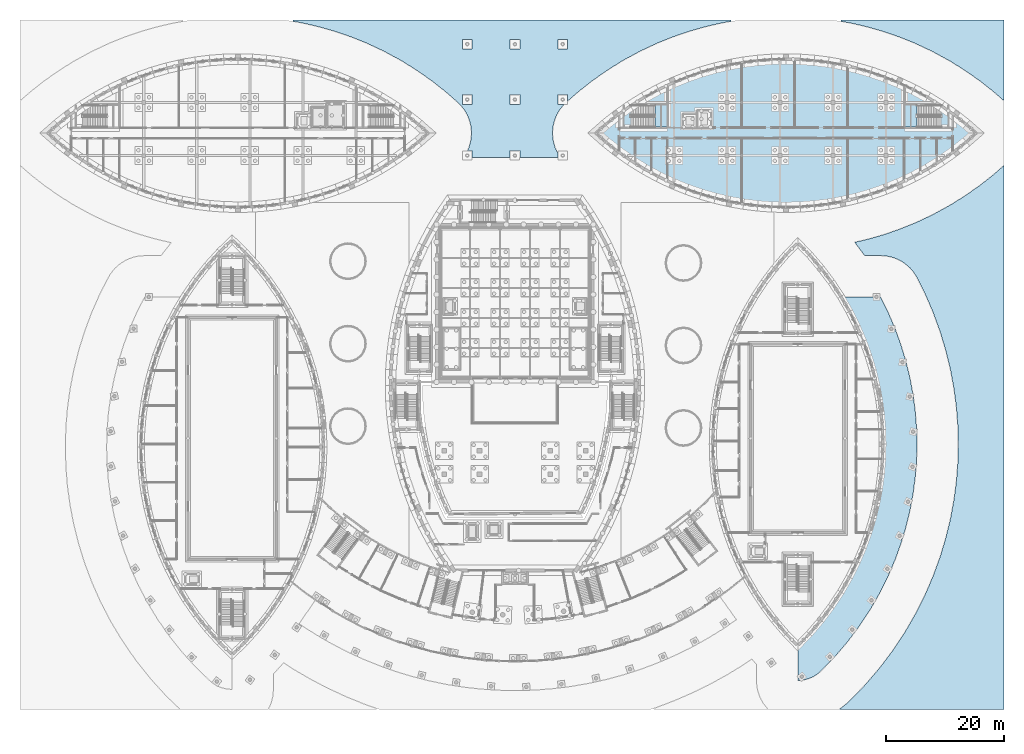
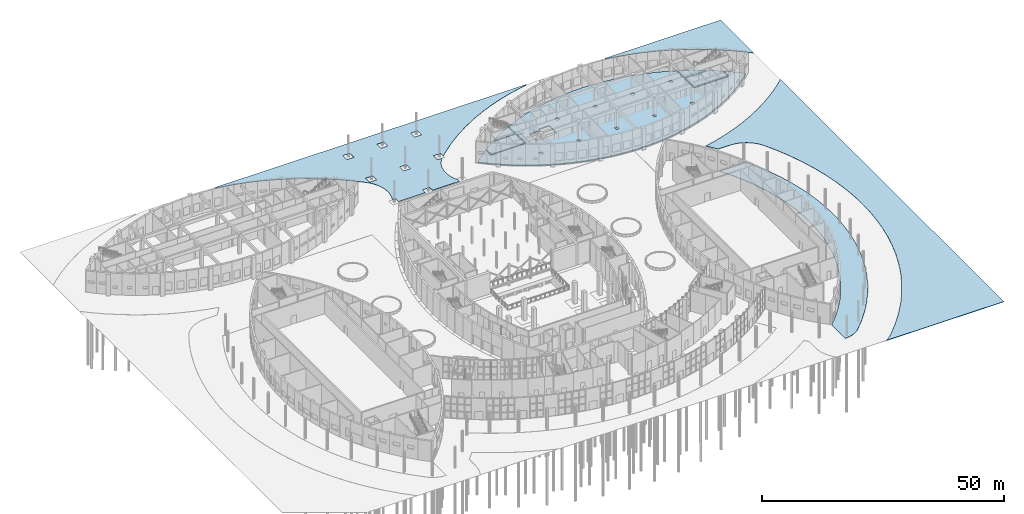
# One storey, part 39 of 82: 9 slabs, 2 elements without a shape of their own.
"""IFC4 building model written with IfcOpenShell, lengths in metres."""

from ifc_helpers import new_model, si_unit, direction, frame, origin, place, context, subcontext, project, spatial, polyline, outline, extrude, material, layer, layer_set, type_object, element, aggregate, save


model = new_model("IFC4")

# Units and contexts
model_context = context("Model", 3, precision=1e-05, world=origin(), true_north=direction((0.0, 1.0)))
body_context = subcontext(model_context, "Body", "Model", "MODEL_VIEW")
ifc_project = project(units=[si_unit("LENGTHUNIT", "METRE"), si_unit("AREAUNIT", "SQUARE_METRE"), si_unit("VOLUMEUNIT", "CUBIC_METRE"), si_unit("PLANEANGLEUNIT", "RADIAN"), si_unit("MASSUNIT", "GRAM", prefix="KILO")], contexts=[model_context])

# Site, building, storey
site_placement = place(None, origin())
site = spatial("IfcSite", under=ifc_project, at=site_placement, CompositionType="ELEMENT")
building_placement = place(site_placement, origin())
building = spatial("IfcBuilding", under=site, at=building_placement, Name="Tide Square Theatres", CompositionType="ELEMENT")
storey_placement = place(building_placement, origin())
storey = spatial("IfcBuildingStorey", under=building, at=storey_placement, Name="L00", CompositionType="ELEMENT", Elevation=0.0)

# Slabs
ifc_material_1 = material(Name="Concrete C30", Category="concrete")
ifc_layer_1 = layer(ifc_material_1, 0.10009765625)
ifc_layer_set_1 = layer_set([ifc_layer_1], Name="Concrete C30")
slab_type_1 = type_object("IfcSlabType", Name="Paving slab 100", PredefinedType="USERDEFINED", material=ifc_layer_set_1)
slab_1_placement = place(storey_placement, frame((0.0, 0.0, -0.10009765625)))
element("IfcSlab", 1, at=slab_1_placement, inside=storey, type_object=slab_type_1, Name="Arcade paving", ObjectType="PAVING", PredefinedType="USERDEFINED", context=body_context, shape_type="SweptSolid", body=[
    extrude(outline(polyline([(147.414794921875, 67.1923828125), (147.27880859375, 67.48828125), (146.032958984375, 70.0), (139.595458984375, 70.0), (140.953857421875, 67.63720703125), (142.261962890625, 65.0), (143.294921875, 62.572021484375), (144.193115234375, 60.091064453125), (144.95361328125, 57.564453125), (145.573974609375, 55.0), (146.03369140625, 52.524169921875), (146.363037109375, 50.027587890625), (146.56103515625, 47.517333984375), (146.627197265625, 45.0), (146.56103515625, 42.482666015625), (146.363037109375, 39.972412109375), (146.03369140625, 37.475830078125), (145.573974609375, 35.0), (144.95361328125, 32.435546875), (144.193115234375, 29.908935546875), (143.294921875, 27.427978515625), (142.261962890625, 25.0), (140.953857421875, 22.36279296875), (139.486572265625, 19.810791015625), (137.865478515625, 17.353515625), (136.09716796875, 15.0), (134.119873046875, 12.68505859375), (132.0, 10.5), (132.0, 4.89990234375), (132.559326171875, 4.927978515625), (133.11328125, 5.01171875), (133.656005859375, 5.150390625), (134.18212890625, 5.342529296875), (134.686279296875, 5.58642578125), (135.163818359375, 5.87939453125), (135.609619140625, 6.218505859375), (136.019287109375, 6.6005859375), (138.13916015625, 8.785400390625), (138.378173828125, 9.048095703125), (140.35546875, 11.363037109375), (140.573974609375, 11.6357421875), (142.34228515625, 13.989013671875), (142.540283203125, 14.269775390625), (144.1611328125, 16.72705078125), (144.34130859375, 17.01953125), (145.80859375, 19.571533203125), (145.970703125, 19.87451171875), (147.27880859375, 22.51171875), (147.414794921875, 22.8076171875), (148.447998046875, 25.2353515625), (148.560546875, 25.521728515625), (149.458740234375, 28.002685546875), (149.555419921875, 28.294921875), (150.31591796875, 30.821533203125), (150.396484375, 31.11865234375), (151.016845703125, 33.68310546875), (151.07958984375, 33.977294921875), (151.53955078125, 36.453125), (151.585693359375, 36.743408203125), (151.9150390625, 39.239990234375), (151.94580078125, 39.531982421875), (152.143798828125, 42.04248046875), (152.1591796875, 42.335693359375), (152.22509765625, 44.85302734375), (152.22509765625, 45.14697265625), (152.1591796875, 47.664306640625), (152.143798828125, 47.95751953125), (151.94580078125, 50.468017578125), (151.9150390625, 50.760009765625), (151.585693359375, 53.256591796875), (151.53955078125, 53.546875), (151.07958984375, 56.022705078125), (151.016845703125, 56.31689453125), (150.396484375, 58.88134765625), (150.31591796875, 59.178466796875), (149.555419921875, 61.705078125), (149.458740234375, 61.997314453125), (148.560546875, 64.478271484375), (148.447998046875, 64.7646484375), (147.414794921875, 67.1923828125)])), origin(), (0.0, 0.0, 1.0), 0.10009765625),
])
slab_2_placement = place(storey_placement, frame((0.0, 0.0, -0.10009765625)))
element("IfcSlab", 2, at=slab_2_placement, inside=storey, type_object=slab_type_1, Name="Square paving", ObjectType="PAVING", PredefinedType="USERDEFINED", context=body_context, shape_type="SweptSolid", body=[
    extrude(outline(polyline([(139.320068359375, 116.779296875), (140.830810546875, 116.51025390625), (141.18408203125, 116.43798828125), (143.64111328125, 115.868896484375), (143.99755859375, 115.7763671875), (146.42138671875, 115.078857421875), (146.7724609375, 114.9677734375), (149.15625, 114.14404296875), (149.5009765625, 114.0146484375), (151.83837890625, 113.06689453125), (152.193115234375, 112.911376953125), (154.711181640625, 111.724365234375), (155.07373046875, 111.540283203125), (157.51904296875, 110.209228515625), (157.8701171875, 110.004638671875), (160.234130859375, 108.5341796875), (160.572998046875, 108.3095703125), (162.84765625, 106.704345703125), (163.1552734375, 106.474609375), (165.096435546875, 104.938720703125), (165.3740234375, 104.707275390625), (167.0, 103.27880859375), (167.0, 117.0), (139.339599609375, 117.0), (139.320068359375, 116.779296875)])), origin(), (0.0, 0.0, 1.0), 0.10009765625),
])
slab_3_placement = place(storey_placement, frame((0.0, 0.0, -0.10009765625)))
element("IfcSlab", 3, at=slab_3_placement, inside=storey, type_object=slab_type_1, Name="Square paving", ObjectType="PAVING", PredefinedType="USERDEFINED", context=body_context, shape_type="SweptSolid", body=[
    extrude(outline(polyline([(141.666748046875, 79.27392578125), (141.708984375, 79.2177734375), (143.3603515625, 77.02001953125), (146.033447265625, 77.02001953125), (146.740234375, 76.984375), (147.4404296875, 76.87744140625), (148.12646484375, 76.70068359375), (148.791015625, 76.45556640625), (149.427490234375, 76.144775390625), (150.029296875, 75.771484375), (150.590576171875, 75.33935546875), (151.10546875, 74.852783203125), (151.568603515625, 74.31689453125), (151.9755859375, 73.7373046875), (152.321533203125, 73.11962890625), (153.567626953125, 70.607666015625), (153.655517578125, 70.423583984375), (153.7919921875, 70.12744140625), (153.87451171875, 69.941162109375), (154.90771484375, 67.512939453125), (154.980712890625, 67.334716796875), (155.093505859375, 67.048095703125), (155.16162109375, 66.86767578125), (156.0595703125, 64.386474609375), (156.12255859375, 64.204345703125), (156.219482421875, 63.912109375), (156.277587890625, 63.728271484375), (157.0380859375, 61.201416015625), (157.091064453125, 61.01611328125), (157.171630859375, 60.71875), (157.219482421875, 60.531982421875), (157.840087890625, 57.96728515625), (157.8818359375, 57.78369140625), (157.94482421875, 57.4892578125), (157.981689453125, 57.3046875), (158.441650390625, 54.82861328125), (158.47265625, 54.6474609375), (158.518798828125, 54.35693359375), (158.54541015625, 54.1748046875), (158.87451171875, 51.67822265625), (158.896484375, 51.49560546875), (158.927001953125, 51.203125), (158.944091796875, 51.02001953125), (159.14208984375, 48.50927734375), (159.154052734375, 48.325927734375), (159.16943359375, 48.0322265625), (159.1767578125, 47.848388671875), (159.242919921875, 45.330810546875), (159.2451171875, 45.14697265625), (159.2451171875, 44.85302734375), (159.242919921875, 44.669189453125), (159.1767578125, 42.151611328125), (159.16943359375, 41.9677734375), (159.154052734375, 41.674072265625), (159.14208984375, 41.49072265625), (158.944091796875, 38.97998046875), (158.927001953125, 38.796875), (158.896484375, 38.50439453125), (158.87451171875, 38.32177734375), (158.54541015625, 35.8251953125), (158.518798828125, 35.64306640625), (158.47265625, 35.3525390625), (158.441650390625, 35.17138671875), (157.981689453125, 32.6953125), (157.94482421875, 32.5107421875), (157.8818359375, 32.21630859375), (157.840087890625, 32.03271484375), (157.219482421875, 29.468017578125), (157.171630859375, 29.28125), (157.091064453125, 28.98388671875), (157.0380859375, 28.798583984375), (156.277587890625, 26.271728515625), (156.219482421875, 26.087890625), (156.12255859375, 25.795654296875), (156.0595703125, 25.613525390625), (155.16162109375, 23.13232421875), (155.093505859375, 22.951904296875), (154.980712890625, 22.665283203125), (154.90771484375, 22.487060546875), (153.87451171875, 20.058837890625), (153.7919921875, 19.87255859375), (153.655517578125, 19.576416015625), (153.567626953125, 19.392333984375), (152.259521484375, 16.7548828125), (152.160888671875, 16.56396484375), (151.9990234375, 16.2607421875), (151.89453125, 16.07275390625), (150.42724609375, 13.5205078125), (150.317138671875, 13.335693359375), (150.13671875, 13.043212890625), (150.021240234375, 12.86181640625), (148.400146484375, 10.404296875), (148.27880859375, 10.2265625), (148.0810546875, 9.945556640625), (147.95458984375, 9.771728515625), (146.185791015625, 7.418212890625), (146.051513671875, 7.245361328125), (145.8330078125, 6.97265625), (145.693603515625, 6.80419921875), (143.71630859375, 4.489013671875), (143.569091796875, 4.322265625), (143.329833984375, 4.059326171875), (143.177490234375, 3.897216796875), (141.057373046875, 1.7119140625), (140.806884765625, 1.466552734375), (140.396728515625, 1.083984375), (139.860595703125, 0.632080078125), (139.4140625, 0.292236328125), (139.03662109375, 0.033935546875), (139.047119140625, 0.0), (167.0, 0.0), (167.0, 92.3212890625), (165.3740234375, 90.892578125), (165.096435546875, 90.661376953125), (163.1552734375, 89.12548828125), (162.84765625, 88.8955078125), (160.572998046875, 87.29052734375), (160.234130859375, 87.06591796875), (157.8701171875, 85.59521484375), (157.51904296875, 85.390625), (155.07373046875, 84.0595703125), (154.711181640625, 83.87548828125), (152.193115234375, 82.688720703125), (151.83837890625, 82.533203125), (149.5009765625, 81.58544921875), (149.15625, 81.4560546875), (146.7724609375, 80.632080078125), (146.42138671875, 80.521240234375), (143.99755859375, 79.82373046875), (143.64111328125, 79.731201171875), (141.666748046875, 79.27392578125)])), origin(), (0.0, 0.0, 1.0), 0.10009765625),
])
slab_4_placement = place(storey_placement, frame((0.0, 0.0, -0.10009765625)))
element("IfcSlab", 4, at=slab_4_placement, inside=storey, type_object=slab_type_1, Name="Square paving", ObjectType="PAVING", PredefinedType="USERDEFINED", context=body_context, shape_type="SweptSolid", body=[
    extrude(outline(polyline([(46.320068359375, 116.779296875), (47.830810546875, 116.51025390625), (48.18408203125, 116.43798828125), (50.64111328125, 115.868896484375), (50.99755859375, 115.7763671875), (53.42138671875, 115.078857421875), (53.7724609375, 114.9677734375), (56.15625, 114.14404296875), (56.5009765625, 114.0146484375), (58.83837890625, 113.06689453125), (59.193115234375, 112.911376953125), (61.711181640625, 111.724365234375), (62.07373046875, 111.540283203125), (64.51904296875, 110.209228515625), (64.8701171875, 110.004638671875), (67.234130859375, 108.5341796875), (67.572998046875, 108.3095703125), (69.84765625, 106.704345703125), (70.1552734375, 106.474609375), (72.096435546875, 104.938720703125), (72.3740234375, 104.707275390625), (74.233642578125, 103.073486328125), (74.73681640625, 102.5849609375), (75.188720703125, 102.048095703125), (75.5849609375, 101.468994140625), (75.921142578125, 100.853271484375), (76.194580078125, 100.20703125), (76.40185546875, 99.53662109375), (76.541259765625, 98.84912109375), (76.611328125, 98.15087890625), (76.611328125, 97.44921875), (76.541259765625, 96.7509765625), (76.40185546875, 96.063232421875), (76.194580078125, 95.392822265625), (75.9521484375, 94.820068359375), (76.719970703125, 94.820068359375), (76.719970703125, 93.662353515625), (83.179931640625, 93.662353515625), (83.179931640625, 94.820068359375), (84.820068359375, 94.820068359375), (84.820068359375, 93.662353515625), (91.280029296875, 93.662353515625), (91.280029296875, 94.37841796875), (91.078857421875, 94.74658203125), (90.805419921875, 95.392822265625), (90.59814453125, 96.063232421875), (90.458740234375, 96.7509765625), (90.388671875, 97.44921875), (90.388671875, 98.15087890625), (90.458740234375, 98.84912109375), (90.59814453125, 99.53662109375), (90.805419921875, 100.20703125), (91.078857421875, 100.853271484375), (91.4150390625, 101.468994140625), (91.811279296875, 102.048095703125), (92.26318359375, 102.5849609375), (92.343505859375, 102.679931640625), (91.280029296875, 102.679931640625), (91.280029296875, 104.320068359375), (92.919921875, 104.320068359375), (92.919921875, 103.20849609375), (94.6259765625, 104.707275390625), (94.903564453125, 104.938720703125), (96.8447265625, 106.474609375), (97.15234375, 106.704345703125), (99.427001953125, 108.3095703125), (99.765869140625, 108.5341796875), (102.1298828125, 110.004638671875), (102.48095703125, 110.209228515625), (104.92626953125, 111.540283203125), (105.288818359375, 111.724365234375), (107.806884765625, 112.911376953125), (108.16162109375, 113.06689453125), (110.4990234375, 114.0146484375), (110.84375, 114.14404296875), (113.2275390625, 114.9677734375), (113.57861328125, 115.078857421875), (116.00244140625, 115.7763671875), (116.35888671875, 115.868896484375), (118.81591796875, 116.43798828125), (119.169189453125, 116.51025390625), (120.679931640625, 116.779296875), (120.660400390625, 117.0), (46.339599609375, 117.0), (46.320068359375, 116.779296875)]), holes=[polyline([(76.719970703125, 102.679931640625), (76.719970703125, 104.320068359375), (75.080078125, 104.320068359375), (75.080078125, 102.679931640625), (76.719970703125, 102.679931640625)]), polyline([(92.919921875, 113.719970703125), (91.280029296875, 113.719970703125), (91.280029296875, 112.080078125), (92.919921875, 112.080078125), (92.919921875, 113.719970703125)]), polyline([(84.820068359375, 104.320068359375), (83.179931640625, 104.320068359375), (83.179931640625, 102.679931640625), (84.820068359375, 102.679931640625), (84.820068359375, 104.320068359375)]), polyline([(83.179931640625, 113.719970703125), (83.179931640625, 112.080078125), (84.820068359375, 112.080078125), (84.820068359375, 113.719970703125), (83.179931640625, 113.719970703125)]), polyline([(76.719970703125, 113.719970703125), (75.080078125, 113.719970703125), (75.080078125, 112.080078125), (76.719970703125, 112.080078125), (76.719970703125, 113.719970703125)])]), origin(), (0.0, 0.0, 1.0), 0.10009765625),
])
ifc_material_2 = material(Name="Concrete C35", Category="concrete")
ifc_layer_2 = layer(ifc_material_2, 0.25)
ifc_layer_set_2 = layer_set([ifc_layer_2], Name="Concrete C35")
slab_type_2 = type_object("IfcSlabType", Name="RC baseslab slab 250", PredefinedType="BASESLAB", material=ifc_layer_set_2)
slab_5_placement = place(storey_placement, frame((0.0, 0.0, -0.25)))
element("IfcSlab", 5, at=slab_5_placement, inside=storey, type_object=slab_type_2, Name="Rehearsal Block ground slab L00", PredefinedType="BASESLAB", context=body_context, shape_type="SweptSolid", body=[
    extrude(outline(polyline([(141.9560546875, 86.957275390625), (144.359130859375, 87.64892578125), (146.72265625, 88.465576171875), (149.03955078125, 89.405029296875), (151.53662109375, 90.582275390625), (153.9609375, 91.90185546875), (156.3046875, 93.35986328125), (158.560546875, 94.95166015625), (160.484619140625, 96.473876953125), (161.993896484375, 97.800048828125), (160.484619140625, 99.1259765625), (158.560546875, 100.648193359375), (158.39990234375, 100.761474609375), (158.39990234375, 98.699951171875), (158.300048828125, 98.699951171875), (158.300048828125, 98.60009765625), (150.10009765625, 98.60009765625), (150.10009765625, 98.699951171875), (150.0, 98.699951171875), (150.0, 102.64990234375), (150.0, 105.6396484375), (150.199951171875, 105.6396484375), (150.199951171875, 102.75), (155.48486328125, 102.75), (153.9609375, 103.697998046875), (151.53662109375, 105.017822265625), (149.03955078125, 106.195068359375), (146.72265625, 107.134521484375), (144.359130859375, 107.951171875), (141.9560546875, 108.642578125), (139.519775390625, 109.20703125), (137.1611328125, 109.626953125), (134.7841796875, 109.927490234375), (132.39501953125, 110.1083984375), (130.0, 110.168701171875), (127.60498046875, 110.1083984375), (125.2158203125, 109.927490234375), (122.8388671875, 109.626953125), (120.480224609375, 109.20703125), (118.0439453125, 108.642578125), (115.640869140625, 107.951171875), (113.27734375, 107.134521484375), (110.96044921875, 106.195068359375), (108.46337890625, 105.017822265625), (106.0390625, 103.697998046875), (104.51513671875, 102.75), (109.800048828125, 102.75), (109.800048828125, 105.6396484375), (110.0, 105.6396484375), (110.0, 102.64990234375), (110.0, 98.699951171875), (109.89990234375, 98.699951171875), (109.89990234375, 98.60009765625), (101.699951171875, 98.60009765625), (101.699951171875, 98.699951171875), (101.60009765625, 98.699951171875), (101.60009765625, 100.761474609375), (101.439453125, 100.648193359375), (99.515380859375, 99.1259765625), (98.006103515625, 97.800048828125), (99.515380859375, 96.473876953125), (101.439453125, 94.95166015625), (103.6953125, 93.35986328125), (106.0390625, 91.90185546875), (108.46337890625, 90.582275390625), (110.96044921875, 89.405029296875), (113.27734375, 88.465576171875), (115.640869140625, 87.64892578125), (118.0439453125, 86.957275390625), (120.480224609375, 86.39306640625), (122.8388671875, 85.97314453125), (125.2158203125, 85.67236328125), (127.60498046875, 85.49169921875), (130.0, 85.431396484375), (132.39501953125, 85.49169921875), (134.7841796875, 85.67236328125), (137.1611328125, 85.97314453125), (139.519775390625, 86.39306640625), (141.9560546875, 86.957275390625)]), holes=[polyline([(112.5, 101.199951171875), (114.800048828125, 101.199951171875), (114.800048828125, 101.699951171875), (114.89990234375, 101.699951171875), (114.89990234375, 101.800048828125), (117.300048828125, 101.800048828125), (117.300048828125, 101.699951171875), (117.39990234375, 101.699951171875), (117.39990234375, 98.699951171875), (117.300048828125, 98.699951171875), (117.300048828125, 98.60009765625), (114.89990234375, 98.60009765625), (112.5, 98.60009765625), (112.5, 98.699951171875), (112.39990234375, 98.699951171875), (112.39990234375, 101.10009765625), (112.5, 101.10009765625), (112.5, 101.199951171875)]), polyline([(111.35009765625, 93.64990234375), (110.64990234375, 93.64990234375), (110.64990234375, 94.35009765625), (111.35009765625, 94.35009765625), (111.35009765625, 93.64990234375)]), polyline([(119.64990234375, 93.64990234375), (119.64990234375, 94.35009765625), (120.35009765625, 94.35009765625), (120.35009765625, 93.64990234375), (119.64990234375, 93.64990234375)]), polyline([(119.64990234375, 103.35009765625), (120.35009765625, 103.35009765625), (120.35009765625, 102.64990234375), (119.64990234375, 102.64990234375), (119.64990234375, 103.35009765625)]), polyline([(129.35009765625, 94.35009765625), (129.35009765625, 93.64990234375), (128.64990234375, 93.64990234375), (128.64990234375, 94.35009765625), (129.35009765625, 94.35009765625)]), polyline([(129.35009765625, 102.64990234375), (128.64990234375, 102.64990234375), (128.64990234375, 103.35009765625), (129.35009765625, 103.35009765625), (129.35009765625, 102.64990234375)]), polyline([(137.64990234375, 93.64990234375), (137.64990234375, 94.35009765625), (138.35009765625, 94.35009765625), (138.35009765625, 93.64990234375), (137.64990234375, 93.64990234375)]), polyline([(137.64990234375, 103.35009765625), (138.35009765625, 103.35009765625), (138.35009765625, 102.64990234375), (137.64990234375, 102.64990234375), (137.64990234375, 103.35009765625)]), polyline([(147.35009765625, 94.35009765625), (147.35009765625, 93.64990234375), (146.64990234375, 93.64990234375), (146.64990234375, 94.35009765625), (147.35009765625, 94.35009765625)]), polyline([(147.35009765625, 102.64990234375), (146.64990234375, 102.64990234375), (146.64990234375, 103.35009765625), (147.35009765625, 103.35009765625), (147.35009765625, 102.64990234375)])]), origin(), (0.0, 0.0, 1.0), 0.25),
])
slab_6_placement = place(storey_placement, frame((0.0, 0.0, -0.25)))
element("IfcSlab", 6, at=slab_6_placement, inside=storey, type_object=slab_type_2, Name="Rehearsal Block ground slab L00", PredefinedType="BASESLAB", context=body_context, shape_type="SweptSolid", body=[
    extrude(outline(polyline([(158.199951171875, 98.800048828125), (158.199951171875, 100.770751953125), (158.38671875, 100.770751953125), (156.3046875, 102.239990234375), (155.551025390625, 102.708984375), (155.551025390625, 102.550048828125), (150.199951171875, 102.550048828125), (150.199951171875, 98.800048828125), (158.199951171875, 98.800048828125)])), origin(), (0.0, 0.0, 1.0), 0.25),
])
slab_7_placement = place(storey_placement, frame((0.0, 0.0, -0.25)))
element("IfcSlab", 7, at=slab_7_placement, inside=storey, type_object=slab_type_2, Name="Rehearsal Block ground slab L00", PredefinedType="BASESLAB", context=body_context, shape_type="SweptSolid", body=[
    extrude(outline(polyline([(109.800048828125, 102.550048828125), (104.448974609375, 102.550048828125), (104.448974609375, 102.708984375), (103.6953125, 102.239990234375), (101.61328125, 100.770751953125), (101.800048828125, 100.770751953125), (101.800048828125, 98.800048828125), (109.800048828125, 98.800048828125), (109.800048828125, 102.550048828125)])), origin(), (0.0, 0.0, 1.0), 0.25),
])

# Stair, slab
ifc_material_3 = material(Name="Concrete C35", Category="concrete")
stair_type = type_object("IfcStairType", Name="Stair half turn 1300 wide", PredefinedType="HALF_TURN_STAIR", material=ifc_material_3)
stair_1_placement = place(storey_placement, origin())
stair_1 = element("IfcStair", 8, at=stair_1_placement, inside=storey, type_object=stair_type, Name="L00 Rehearsal Block stair 1", PredefinedType="HALF_TURN_STAIR")
ifc_material_4 = material(Name="Concrete C35", Category="concrete")
ifc_layer_3 = layer(ifc_material_4, 0.199951171875)
ifc_layer_set_3 = layer_set([ifc_layer_3], Name="Concrete C35")
slab_type_3 = type_object("IfcSlabType", Name="RC landing slab 200", PredefinedType="LANDING", material=ifc_layer_set_3)
slab_8_placement = place(storey_placement, frame((0.0, 0.0, 2.5)))
slab_8 = element("IfcSlab", 9, at=slab_8_placement, type_object=slab_type_3, Name="RST-1 landing 1", PredefinedType="LANDING", context=body_context, shape_type="SweptSolid", body=[
    extrude(outline(polyline([(107.799072265625, 98.800048828125), (109.800048828125, 98.800048828125), (109.800048828125, 102.550048828125), (107.799072265625, 102.550048828125), (107.799072265625, 98.800048828125)])), origin(), (0.0, 0.0, 1.0), 0.199951171875),
])
aggregate(stair_1, [slab_8])

stair_2_placement = place(storey_placement, origin())
stair_2 = element("IfcStair", 10, at=stair_2_placement, inside=storey, type_object=stair_type, Name="L00 Rehearsal Block stair 2", PredefinedType="HALF_TURN_STAIR")
slab_9_placement = place(storey_placement, frame((0.0, 0.0, 2.5)))
slab_9 = element("IfcSlab", 11, at=slab_9_placement, type_object=slab_type_3, Name="RST-2 landing 1", PredefinedType="LANDING", context=body_context, shape_type="SweptSolid", body=[
    extrude(outline(polyline([(152.200927734375, 102.550048828125), (150.199951171875, 102.550048828125), (150.199951171875, 98.800048828125), (152.200927734375, 98.800048828125), (152.200927734375, 102.550048828125)])), origin(), (0.0, 0.0, 1.0), 0.199951171875),
])
aggregate(stair_2, [slab_9])

save(model, "model.ifc")
